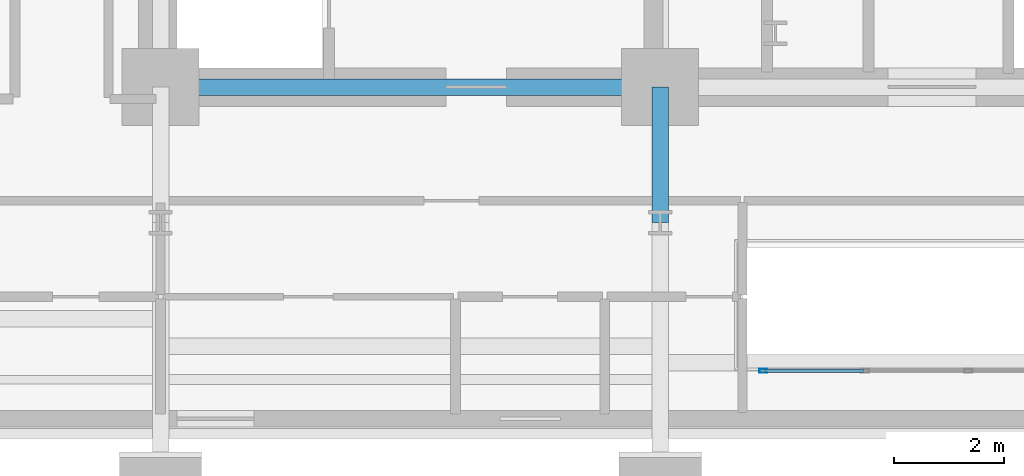
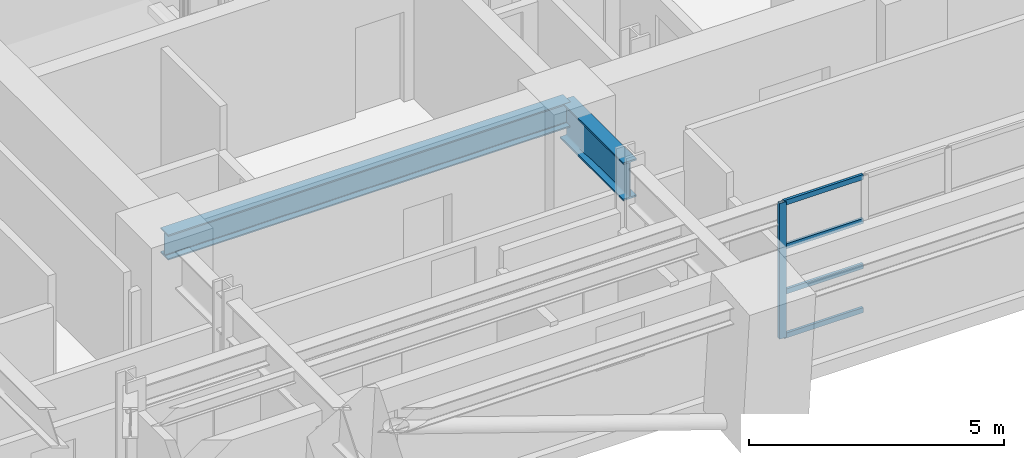
# One storey, part 2 of 16: 5 members, 2 beams, 1 element without a shape of its own.
"""IFC4 building model written with IfcOpenShell, lengths in metres."""

from ifc_helpers import new_model, si_unit, direction, frame, origin, origin_2d, place, context, subcontext, project, spatial, hollow_rectangle, i_section, extrude, material, layer, layer_set, material_profile, profile_set, type_object, element, aggregate, save


model = new_model("IFC4")

# Units and contexts
model_context = context("Model", 3, precision=1e-05, world=origin(), true_north=direction((0.0, 1.0)))
body_context = subcontext(model_context, "Body", "Model", "MODEL_VIEW")
ifc_project = project(units=[si_unit("LENGTHUNIT", "METRE"), si_unit("AREAUNIT", "SQUARE_METRE"), si_unit("VOLUMEUNIT", "CUBIC_METRE"), si_unit("PLANEANGLEUNIT", "RADIAN"), si_unit("MASSUNIT", "GRAM", prefix="KILO")], contexts=[model_context])

# Site, building, storey
site_placement = place(None, origin())
site = spatial("IfcSite", under=ifc_project, at=site_placement, CompositionType="ELEMENT")
building_placement = place(site_placement, origin())
building = spatial("IfcBuilding", under=site, at=building_placement, Name="Zarnavel Station Tower", CompositionType="ELEMENT")
storey_placement = place(building_placement, frame((0.0, 0.0, 64.0)))
storey = spatial("IfcBuildingStorey", under=building, at=storey_placement, Name="L17", CompositionType="ELEMENT", Elevation=64.0)

# Curtain wall, members
ifc_material_1 = material(Name="Aluminium Dark Anodised and Solar-Control Glass", Category="aluminium")
ifc_layer = layer(ifc_material_1, 0.179931640625)
ifc_layer_set = layer_set([ifc_layer], Name="CWS2")
curtain_wall_type = type_object("IfcCurtainWallType", Name="CWS2", PredefinedType="NOTDEFINED", material=ifc_layer_set)
curtain_wall_placement = place(storey_placement, origin())
curtain_wall = element("IfcCurtainWall", 1, at=curtain_wall_placement, inside=storey, type_object=curtain_wall_type, Name="L17 Curtain Wall CWS2-L17-AS", PredefinedType="NOTDEFINED")
ifc_material_2 = material(Name="Steel S355J2 (Black Fluoropolymer Coated)", Category="steel")
ifc_material_profile_1 = material_profile(ifc_material_2, hollow_rectangle(XDim=0.074951171875, YDim=0.14990234375, WallThickness=0.00634765625, at=origin_2d()), Name="RHS150x75x6.3")
ifc_profile_set_1 = profile_set([ifc_material_profile_1], Name="Steel S355J2 (Black Fluoropolymer Coated)")
member_type_1 = type_object("IfcMemberType", Name="CWS2_MUL", PredefinedType="MULLION", material=ifc_profile_set_1)
member_1_placement = place(storey_placement, frame((23.179931640625, 22.64990234375, 0.0), z_axis=(0.0, 0.0, 1.0), x_axis=(0.0, 1.0, 0.0)))
member_1 = element("IfcMember", 2, at=member_1_placement, type_object=member_type_1, Name="CW2 mullion 1", PredefinedType="MULLION", context=body_context, shape_type="SweptSolid", body=[
    extrude(hollow_rectangle(XDim=0.074951171875, YDim=0.14990234375, WallThickness=0.00634765625, at=origin_2d()), origin(), (0.0, 0.0, 1.0), 3.239990234375),
])
ifc_material_3 = material(Name="Steel S355J2 (Black Fluoropolymer Coated)", Category="steel")
ifc_material_profile_2 = material_profile(ifc_material_3, hollow_rectangle(XDim=0.06005859375, YDim=0.1201171875, WallThickness=0.0048828125, at=origin_2d()), Name="RHS120x60x5")
ifc_profile_set_2 = profile_set([ifc_material_profile_2], Name="Steel S355J2 (Black Fluoropolymer Coated)")
member_type_2 = type_object("IfcMemberType", Name="CWS2_TRN", PredefinedType="USERDEFINED", material=ifc_profile_set_2)
member_2_placement = place(storey_placement, frame((23.2099609375, 22.64990234375, 0.030029296875), z_axis=(1.0, 0.0, 0.0), x_axis=(0.0, 1.0, 0.0)))
member_2 = element("IfcMember", 3, at=member_2_placement, type_object=member_type_2, Name="CW2 transom 1.1", ObjectType="TRANSOM", PredefinedType="USERDEFINED", context=body_context, shape_type="SweptSolid", body=[
    extrude(hollow_rectangle(XDim=0.06005859375, YDim=0.1201171875, WallThickness=0.0048828125, at=origin_2d()), origin(), (0.0, 0.0, 1.0), 1.79345703125),
])
member_3_placement = place(storey_placement, frame((23.2099609375, 22.64990234375, 1.080078125), z_axis=(1.0, 0.0, 0.0), x_axis=(0.0, 1.0, 0.0)))
member_3 = element("IfcMember", 4, at=member_3_placement, type_object=member_type_2, Name="CW2 transom 1.2", ObjectType="TRANSOM", PredefinedType="USERDEFINED", context=body_context, shape_type="SweptSolid", body=[
    extrude(hollow_rectangle(XDim=0.06005859375, YDim=0.1201171875, WallThickness=0.0048828125, at=origin_2d()), origin(), (0.0, 0.0, 1.0), 1.79345703125),
])
member_4_placement = place(storey_placement, frame((23.2099609375, 22.64990234375, 2.159912109375), z_axis=(1.0, 0.0, 0.0), x_axis=(0.0, 1.0, 0.0)))
member_4 = element("IfcMember", 5, at=member_4_placement, type_object=member_type_2, Name="CW2 transom 1.3", ObjectType="TRANSOM", PredefinedType="USERDEFINED", context=body_context, shape_type="SweptSolid", body=[
    extrude(hollow_rectangle(XDim=0.06005859375, YDim=0.1201171875, WallThickness=0.0048828125, at=origin_2d()), origin(), (0.0, 0.0, 1.0), 1.79345703125),
])
member_5_placement = place(storey_placement, frame((23.2099609375, 22.64990234375, 3.2099609375), z_axis=(1.0, 0.0, 0.0), x_axis=(0.0, 1.0, 0.0)))
member_5 = element("IfcMember", 6, at=member_5_placement, type_object=member_type_2, Name="CW2 transom 1.4", ObjectType="TRANSOM", PredefinedType="USERDEFINED", context=body_context, shape_type="SweptSolid", body=[
    extrude(hollow_rectangle(XDim=0.06005859375, YDim=0.1201171875, WallThickness=0.0048828125, at=origin_2d()), origin(), (0.0, 0.0, 1.0), 1.79345703125),
])
aggregate(curtain_wall, [member_1, member_2, member_3, member_4, member_5])

# Beams
ifc_material_4 = material(Name="Steel S355J2", Category="steel")
ifc_material_profile_3 = material_profile(ifc_material_4, i_section(OverallWidth=0.300048828125, OverallDepth=0.60009765625, WebThickness=0.015380859375, FlangeThickness=0.030029296875, FilletRadius=0.027099609375, at=origin_2d()), Name="HEB600")
ifc_profile_set_3 = profile_set([ifc_material_profile_3], Name="Steel S355J2")
beam_type_1 = type_object("IfcBeamType", Name="FG_HEB600", PredefinedType="USERDEFINED", material=ifc_profile_set_3)
beam_1_placement = place(storey_placement, frame((12.199951171875, 27.820068359375, 2.93994140625), z_axis=(1.0, 0.0, 0.0), x_axis=(0.0, 1.0, 0.0)))
element("IfcBeam", 7, at=beam_1_placement, inside=storey, type_object=beam_type_1, Name="L17 Core Front Coupling Beam 1", ObjectType="GIRDER", PredefinedType="USERDEFINED", context=body_context, shape_type="SweptSolid", body=[
    extrude(i_section(OverallWidth=0.300048828125, OverallDepth=0.60009765625, WebThickness=0.015380859375, FlangeThickness=0.030029296875, FilletRadius=0.027099609375, at=origin_2d()), origin(), (0.0, 0.0, 1.0), 9.10009765625),
])
ifc_material_5 = material(Name="Steel S460M", Category="steel")
ifc_material_profile_4 = material_profile(ifc_material_5, i_section(OverallWidth=0.302001953125, OverallDepth=0.909912109375, WebThickness=0.02099609375, FlangeThickness=0.0400390625, FilletRadius=0.030029296875, at=origin_2d()), Name="HEM900")
ifc_profile_set_4 = profile_set([ifc_material_profile_4], Name="Steel S460M")
beam_type_2 = type_object("IfcBeamType", Name="TG_HEM900", PredefinedType="USERDEFINED", material=ifc_profile_set_4)
beam_2_placement = place(storey_placement, frame((21.300048828125, 25.35009765625, 2.784912109375), z_axis=(0.0, 1.0, 0.0), x_axis=(-1.0, 0.0, 0.0)))
element("IfcBeam", 8, at=beam_2_placement, inside=storey, type_object=beam_type_2, Name="L17 Inner-Zone NS Girder 2", ObjectType="GIRDER", PredefinedType="USERDEFINED", context=body_context, shape_type="SweptSolid", body=[
    extrude(i_section(OverallWidth=0.302001953125, OverallDepth=0.909912109375, WebThickness=0.02099609375, FlangeThickness=0.0400390625, FilletRadius=0.030029296875, at=origin_2d()), origin(), (0.0, 0.0, 1.0), 2.469970703125),
])

save(model, "model.ifc")
